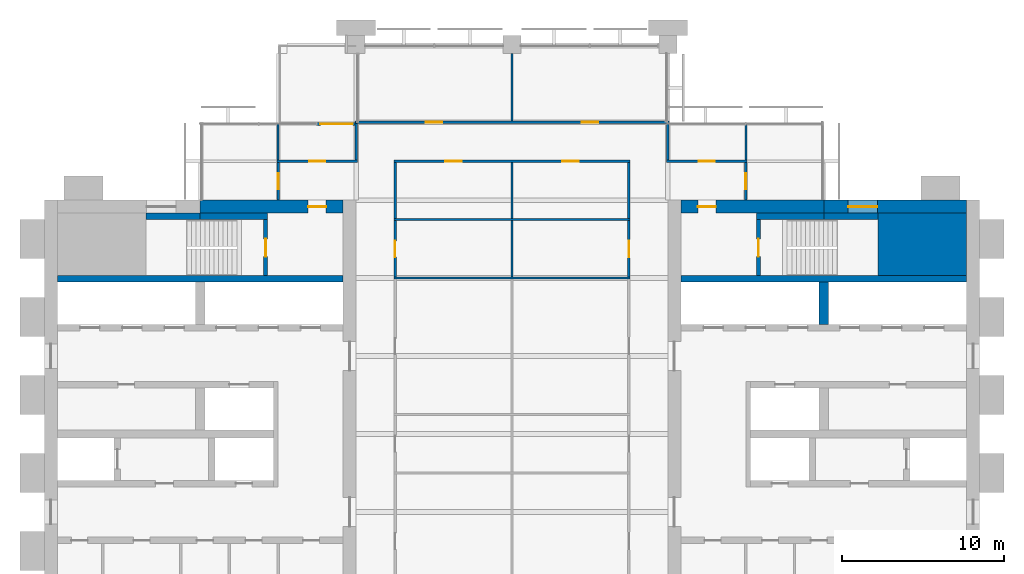
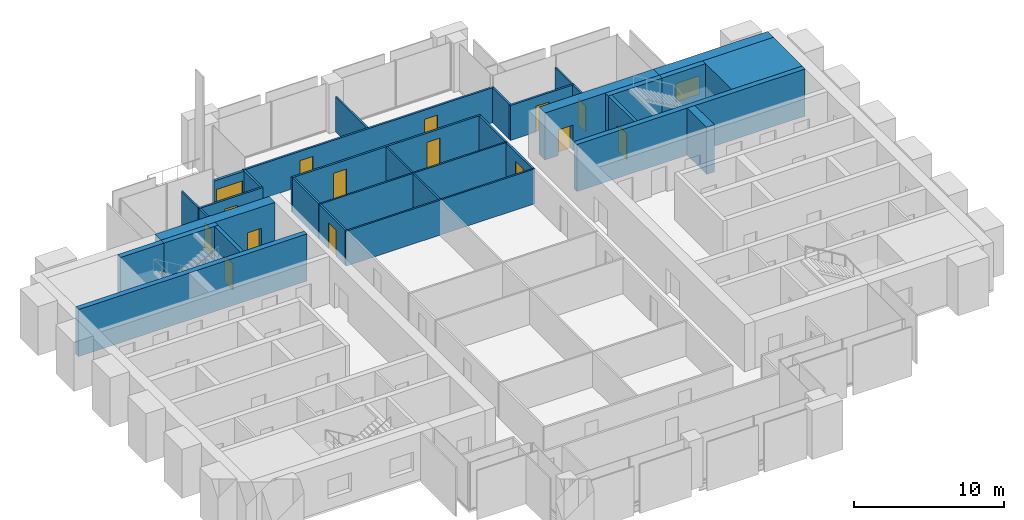
# One storey, part 11 of 13: 33 walls, 15 doors, 1 window, 16 openings.
"""IFC4 building model written with IfcOpenShell, lengths in metres."""

from ifc_helpers import new_model, si_unit, direction, frame, frame_2d, origin, place, context, subcontext, project, spatial, rectangle, extrude, material, layer, layer_set, type_object, element, fill, save


model = new_model("IFC4")

# Units and contexts
model_context = context("Model", 3, precision=1e-05, world=origin(), true_north=direction((0.0, 1.0)))
body_context = subcontext(model_context, "Body", "Model", "MODEL_VIEW")
ifc_project = project(units=[si_unit("LENGTHUNIT", "METRE"), si_unit("AREAUNIT", "SQUARE_METRE"), si_unit("VOLUMEUNIT", "CUBIC_METRE"), si_unit("PLANEANGLEUNIT", "RADIAN"), si_unit("MASSUNIT", "GRAM", prefix="KILO")], contexts=[model_context])

# Site, building, storey
site_placement = place(None, origin())
site = spatial("IfcSite", under=ifc_project, at=site_placement, CompositionType="ELEMENT")
building_placement = place(site_placement, origin())
building = spatial("IfcBuilding", under=site, at=building_placement, Name="Baori Bourse Tower", CompositionType="ELEMENT")
storey_placement = place(building_placement, frame((0.0, 0.0, 229.199951171875)))
storey = spatial("IfcBuildingStorey", under=building, at=storey_placement, Name="L50", CompositionType="ELEMENT", Elevation=229.199951171875)

# Wall
ifc_material_1 = material(Name="Concrete f'c 50 MPa", Category="concrete")
wall_type_1 = type_object("IfcWallType", Name="Core corner block f'c 50", PredefinedType="SHEAR", material=ifc_material_1)
wall_1_placement = place(storey_placement, frame((51.35009765625, 35.675048828125, 0.0), z_axis=(0.0, 0.0, 1.0), x_axis=(1.0, 0.0, 0.0)))
element("IfcWall", 1, at=wall_1_placement, inside=storey, type_object=wall_type_1, Name="Core wall E25", PredefinedType="SHEAR", context=body_context, shape_type="SweptSolid", body=[
    extrude(rectangle(XDim=5.449951171875, YDim=3.85009765625, at=frame_2d((2.72509765625, 0.0))), origin(), (0.0, 0.0, 1.0), 3.840087890625),
])

# Wall, opening, door
ifc_material_2 = material(Name="Concrete f'c 50 MPa", Category="concrete")
ifc_layer_1 = layer(ifc_material_2, 0.800048828125)
ifc_layer_set_1 = layer_set([ifc_layer_1], Name="Core wall 800 f'c 50")
wall_type_2 = type_object("IfcWallType", Name="Core wall 800 f'c 50", PredefinedType="SHEAR", material=ifc_layer_set_1)
wall_2_placement = place(storey_placement, frame((9.60009765625, 38.0, 0.0), z_axis=(0.0, 0.0, 1.0), x_axis=(1.0, 0.0, 0.0)))
wall_2 = element("IfcWall", 2, at=wall_2_placement, inside=storey, type_object=wall_type_2, Name="Core wall W29", PredefinedType="SHEAR", context=body_context, shape_type="SweptSolid", body=[
    extrude(rectangle(XDim=8.7998046875, YDim=0.800048828125, at=frame_2d((4.39990234375, 0.0))), origin(), (0.0, 0.0, 1.0), 3.840087890625),
])
opening_1_placement = place(wall_2_placement, frame((6.64990234375, 0.0, 0.0)))
opening_1 = element("IfcOpeningElement", 3, at=opening_1_placement, cuts=wall_2, Name="Opening L50-D104", PredefinedType="OPENING", context=body_context, shape_type="SweptSolid", body=[
    extrude(rectangle(XDim=1.10009765625, YDim=2.10009765625, at=frame_2d((0.550048828125, 1.050048828125))), frame((0.0, 0.409912109375, 0.0), z_axis=(0.0, -1.0, 0.0), x_axis=(1.0, 0.0, 0.0)), (0.0, 0.0, 1.0), 0.820068359375),
])
ifc_material_3 = material(Name="Painted steel door", Category="steel")
door_type_1 = type_object("IfcDoorType", Name="Stair door 1100", OperationType="SINGLE_SWING_LEFT", PredefinedType="DOOR", material=ifc_material_3)
door_1_placement = place(opening_1_placement, origin())
door_1 = element("IfcDoor", 4, at=door_1_placement, inside=storey, type_object=door_type_1, Name="Stair vestibule door B W L50", OperationType="SINGLE_SWING_LEFT", OverallHeight=2.10009765625, OverallWidth=1.10009765625, PredefinedType="DOOR", context=body_context, shape_type="SweptSolid", body=[
    extrude(rectangle(XDim=1.10009765625, YDim=2.10009765625, at=frame_2d((0.550048828125, 1.050048828125))), frame((0.0, 0.02490234375, 0.0), z_axis=(0.0, -1.0, 0.0), x_axis=(1.0, 0.0, 0.0)), (0.0, 0.0, 1.0), 0.050048828125),
])
fill(opening_1, door_1)

# Wall, opening, window
wall_3_placement = place(storey_placement, frame((48.0, 38.0, 0.0), z_axis=(0.0, 0.0, 1.0), x_axis=(1.0, 0.0, 0.0)))
wall_3 = element("IfcWall", 5, at=wall_3_placement, inside=storey, type_object=wall_type_2, Name="Core wall E29", PredefinedType="SHEAR", context=body_context, shape_type="SweptSolid", body=[
    extrude(rectangle(XDim=8.800048828125, YDim=0.800048828125, at=frame_2d((4.39990234375, 0.0))), origin(), (0.0, 0.0, 1.0), 3.840087890625),
])
opening_2_placement = place(wall_3_placement, frame((1.5, 0.0, 0.89990234375)))
opening_2 = element("IfcOpeningElement", 6, at=opening_2_placement, cuts=wall_3, Name="Opening L50-KW204", PredefinedType="OPENING", context=body_context, shape_type="SweptSolid", body=[
    extrude(rectangle(XDim=1.800048828125, YDim=1.5, at=frame_2d((0.89990234375, 0.75))), frame((0.0, 0.409912109375, 0.0), z_axis=(0.0, -1.0, 0.0), x_axis=(1.0, 0.0, 0.0)), (0.0, 0.0, 1.0), 0.820068359375),
])
ifc_material_4 = material(Name="Pale anodised aluminium", Category="aluminium")
window_type = type_object("IfcWindowType", Name="Stair window 1800 x 1500", PartitioningType="SINGLE_PANEL", PredefinedType="WINDOW", material=ifc_material_4)
window_placement = place(opening_2_placement, origin())
window = element("IfcWindow", 7, at=window_placement, inside=storey, type_object=window_type, Name="Stair window E L50 4", OverallHeight=1.5, OverallWidth=1.800048828125, PartitioningType="SINGLE_PANEL", PredefinedType="WINDOW", context=body_context, shape_type="SweptSolid", body=[
    extrude(rectangle(XDim=1.800048828125, YDim=1.5, at=frame_2d((0.89990234375, 0.75))), frame((0.0, 0.030029296875, 0.0), z_axis=(0.0, -1.0, 0.0), x_axis=(1.0, 0.0, 0.0)), (0.0, 0.0, 1.0), 0.06005859375),
])
fill(opening_2, window)

# Wall, opening, door
wall_4_placement = place(storey_placement, frame((39.199951171875, 38.0, 0.0), z_axis=(0.0, 0.0, 1.0), x_axis=(1.0, 0.0, 0.0)))
wall_4 = element("IfcWall", 8, at=wall_4_placement, inside=storey, type_object=wall_type_2, Name="Core wall E30", PredefinedType="SHEAR", context=body_context, shape_type="SweptSolid", body=[
    extrude(rectangle(XDim=8.800048828125, YDim=0.800048828125, at=frame_2d((4.39990234375, 0.0))), origin(), (0.0, 0.0, 1.0), 3.840087890625),
])
opening_3_placement = place(wall_4_placement, frame((1.050048828125, 0.0, 0.0)))
opening_3 = element("IfcOpeningElement", 9, at=opening_3_placement, cuts=wall_4, Name="Opening L50-D204", PredefinedType="OPENING", context=body_context, shape_type="SweptSolid", body=[
    extrude(rectangle(XDim=1.10009765625, YDim=2.10009765625, at=frame_2d((0.550048828125, 1.050048828125))), frame((0.0, 0.409912109375, 0.0), z_axis=(0.0, -1.0, 0.0), x_axis=(1.0, 0.0, 0.0)), (0.0, 0.0, 1.0), 0.820068359375),
])
door_2_placement = place(opening_3_placement, origin())
door_2 = element("IfcDoor", 10, at=door_2_placement, inside=storey, type_object=door_type_1, Name="Stair vestibule door B E L50", OperationType="SINGLE_SWING_LEFT", OverallHeight=2.10009765625, OverallWidth=1.10009765625, PredefinedType="DOOR", context=body_context, shape_type="SweptSolid", body=[
    extrude(rectangle(XDim=1.10009765625, YDim=2.10009765625, at=frame_2d((0.550048828125, 1.050048828125))), frame((0.0, 0.02490234375, 0.0), z_axis=(0.0, -1.0, 0.0), x_axis=(1.0, 0.0, 0.0)), (0.0, 0.0, 1.0), 0.050048828125),
])
fill(opening_3, door_2)

ifc_material_5 = material(Name="Gypsum board partition")
ifc_layer_2 = layer(ifc_material_5, 0.14990234375)
ifc_layer_set_2 = layer_set([ifc_layer_2], Name="Corridor partition 150")
wall_type_3 = type_object("IfcWallType", Name="Corridor partition 150", PredefinedType="PARTITIONING", material=ifc_layer_set_2)
wall_5_placement = place(storey_placement, frame((14.324951171875, 40.800048828125, 0.0), z_axis=(0.0, 0.0, 1.0), x_axis=(1.0, 0.0, 0.0)))
wall_5 = element("IfcWall", 11, at=wall_5_placement, inside=storey, type_object=wall_type_3, Name="Partition", PredefinedType="PARTITIONING", context=body_context, shape_type="SweptSolid", body=[
    extrude(rectangle(XDim=4.949951171875, YDim=0.14990234375, at=frame_2d((2.47509765625, 0.0))), origin(), (0.0, 0.0, 1.0), 2.849365234375),
])
opening_4_placement = place(wall_5_placement, frame((1.97509765625, 0.0, 0.0)))
opening_4 = element("IfcOpeningElement", 12, at=opening_4_placement, cuts=wall_5, Name="Opening L50-D07", PredefinedType="OPENING", context=body_context, shape_type="SweptSolid", body=[
    extrude(rectangle(XDim=1.0, YDim=2.10009765625, at=frame_2d((0.5, 1.050048828125))), frame((0.0, 0.0849609375, 0.0), z_axis=(0.0, -1.0, 0.0), x_axis=(1.0, 0.0, 0.0)), (0.0, 0.0, 1.0), 0.169921875),
])
ifc_material_6 = material(Name="Timber door leaf", Category="wood")
door_type_2 = type_object("IfcDoorType", Name="Door 1000 x 2100", OperationType="SINGLE_SWING_LEFT", PredefinedType="DOOR", material=ifc_material_6)
door_3_placement = place(opening_4_placement, origin())
door_3 = element("IfcDoor", 13, at=door_3_placement, inside=storey, type_object=door_type_2, Name="Door", OperationType="SINGLE_SWING_LEFT", OverallHeight=2.10009765625, OverallWidth=1.0, PredefinedType="DOOR", context=body_context, shape_type="SweptSolid", body=[
    extrude(rectangle(XDim=1.0, YDim=2.10009765625, at=frame_2d((0.5, 1.050048828125))), frame((0.0, 0.02490234375, 0.0), z_axis=(0.0, -1.0, 0.0), x_axis=(1.0, 0.0, 0.0)), (0.0, 0.0, 1.0), 0.050048828125),
])
fill(opening_4, door_3)

# Wall, openings, doors
wall_6_placement = place(storey_placement, frame((21.52490234375, 40.800048828125, 0.0), z_axis=(0.0, 0.0, 1.0), x_axis=(1.0, 0.0, 0.0)))
wall_6 = element("IfcWall", 14, at=wall_6_placement, inside=storey, type_object=wall_type_3, Name="Partition", PredefinedType="PARTITIONING", context=body_context, shape_type="SweptSolid", body=[
    extrude(rectangle(XDim=14.550048828125, YDim=0.14990234375, at=frame_2d((7.27490234375, 0.0))), origin(), (0.0, 0.0, 1.0), 2.849365234375),
])
opening_5_placement = place(wall_6_placement, frame((3.175048828125, 0.0, 0.0)))
opening_5 = element("IfcOpeningElement", 15, at=opening_5_placement, cuts=wall_6, Name="Opening L50-D08", PredefinedType="OPENING", context=body_context, shape_type="SweptSolid", body=[
    extrude(rectangle(XDim=1.0, YDim=2.10009765625, at=frame_2d((0.5, 1.050048828125))), frame((0.0, 0.0849609375, 0.0), z_axis=(0.0, -1.0, 0.0), x_axis=(1.0, 0.0, 0.0)), (0.0, 0.0, 1.0), 0.169921875),
])
opening_6_placement = place(wall_6_placement, frame((10.375, 0.0, 0.0)))
opening_6 = element("IfcOpeningElement", 16, at=opening_6_placement, cuts=wall_6, Name="Opening L50-D09", PredefinedType="OPENING", context=body_context, shape_type="SweptSolid", body=[
    extrude(rectangle(XDim=1.0, YDim=2.10009765625, at=frame_2d((0.5, 1.050048828125))), frame((0.0, 0.0849609375, 0.0), z_axis=(0.0, -1.0, 0.0), x_axis=(1.0, 0.0, 0.0)), (0.0, 0.0, 1.0), 0.169921875),
])
door_4_placement = place(opening_5_placement, origin())
door_4 = element("IfcDoor", 17, at=door_4_placement, inside=storey, type_object=door_type_2, Name="Door", OperationType="SINGLE_SWING_LEFT", OverallHeight=2.10009765625, OverallWidth=1.0, PredefinedType="DOOR", context=body_context, shape_type="SweptSolid", body=[
    extrude(rectangle(XDim=1.0, YDim=2.10009765625, at=frame_2d((0.5, 1.050048828125))), frame((0.0, 0.02490234375, 0.0), z_axis=(0.0, -1.0, 0.0), x_axis=(1.0, 0.0, 0.0)), (0.0, 0.0, 1.0), 0.050048828125),
])
fill(opening_5, door_4)
door_5_placement = place(opening_6_placement, origin())
door_5 = element("IfcDoor", 18, at=door_5_placement, inside=storey, type_object=door_type_2, Name="Door", OperationType="SINGLE_SWING_RIGHT", OverallHeight=2.10009765625, OverallWidth=1.0, PredefinedType="DOOR", context=body_context, shape_type="SweptSolid", body=[
    extrude(rectangle(XDim=1.0, YDim=2.10009765625, at=frame_2d((0.5, 1.050048828125))), frame((0.0, 0.02490234375, 0.0), z_axis=(0.0, -1.0, 0.0), x_axis=(1.0, 0.0, 0.0)), (0.0, 0.0, 1.0), 0.050048828125),
])
fill(opening_6, door_5)

# Wall, opening, door
wall_7_placement = place(storey_placement, frame((38.324951171875, 40.800048828125, 0.0), z_axis=(0.0, 0.0, 1.0), x_axis=(1.0, 0.0, 0.0)))
wall_7 = element("IfcWall", 19, at=wall_7_placement, inside=storey, type_object=wall_type_3, Name="Partition", PredefinedType="PARTITIONING", context=body_context, shape_type="SweptSolid", body=[
    extrude(rectangle(XDim=4.949951171875, YDim=0.14990234375, at=frame_2d((2.47509765625, 0.0))), origin(), (0.0, 0.0, 1.0), 2.849365234375),
])
opening_7_placement = place(wall_7_placement, frame((1.97509765625, 0.0, 0.0)))
opening_7 = element("IfcOpeningElement", 20, at=opening_7_placement, cuts=wall_7, Name="Opening L50-D10", PredefinedType="OPENING", context=body_context, shape_type="SweptSolid", body=[
    extrude(rectangle(XDim=1.0, YDim=2.10009765625, at=frame_2d((0.5, 1.050048828125))), frame((0.0, 0.0849609375, 0.0), z_axis=(0.0, -1.0, 0.0), x_axis=(1.0, 0.0, 0.0)), (0.0, 0.0, 1.0), 0.169921875),
])
door_6_placement = place(opening_7_placement, origin())
door_6 = element("IfcDoor", 21, at=door_6_placement, inside=storey, type_object=door_type_2, Name="Door", OperationType="SINGLE_SWING_RIGHT", OverallHeight=2.10009765625, OverallWidth=1.0, PredefinedType="DOOR", context=body_context, shape_type="SweptSolid", body=[
    extrude(rectangle(XDim=1.0, YDim=2.10009765625, at=frame_2d((0.5, 1.050048828125))), frame((0.0, 0.02490234375, 0.0), z_axis=(0.0, -1.0, 0.0), x_axis=(1.0, 0.0, 0.0)), (0.0, 0.0, 1.0), 0.050048828125),
])
fill(opening_7, door_6)

# Wall, openings, doors
wall_8_placement = place(storey_placement, frame((19.125, 43.199951171875, 0.0), z_axis=(0.0, 0.0, 1.0), x_axis=(1.0, 0.0, 0.0)))
wall_8 = element("IfcWall", 22, at=wall_8_placement, inside=storey, type_object=wall_type_3, Name="Partition", PredefinedType="PARTITIONING", context=body_context, shape_type="SweptSolid", body=[
    extrude(rectangle(XDim=19.35009765625, YDim=0.14990234375, at=frame_2d((9.675048828125, 0.0))), origin(), (0.0, 0.0, 1.0), 2.849365234375),
])
opening_8_placement = place(wall_8_placement, frame((4.375, 0.0, 0.0)))
opening_8 = element("IfcOpeningElement", 23, at=opening_8_placement, cuts=wall_8, Name="Opening L50-D11", PredefinedType="OPENING", context=body_context, shape_type="SweptSolid", body=[
    extrude(rectangle(XDim=1.0, YDim=2.10009765625, at=frame_2d((0.5, 1.050048828125))), frame((0.0, 0.0849609375, 0.0), z_axis=(0.0, -1.0, 0.0), x_axis=(1.0, 0.0, 0.0)), (0.0, 0.0, 1.0), 0.169921875),
])
opening_9_placement = place(wall_8_placement, frame((13.97509765625, 0.0, 0.0)))
opening_9 = element("IfcOpeningElement", 24, at=opening_9_placement, cuts=wall_8, Name="Opening L50-D12", PredefinedType="OPENING", context=body_context, shape_type="SweptSolid", body=[
    extrude(rectangle(XDim=1.0, YDim=2.10009765625, at=frame_2d((0.5, 1.050048828125))), frame((0.0, 0.0849609375, 0.0), z_axis=(0.0, -1.0, 0.0), x_axis=(1.0, 0.0, 0.0)), (0.0, 0.0, 1.0), 0.169921875),
])
door_7_placement = place(opening_8_placement, origin())
door_7 = element("IfcDoor", 25, at=door_7_placement, inside=storey, type_object=door_type_2, Name="Door", OperationType="SINGLE_SWING_RIGHT", OverallHeight=2.10009765625, OverallWidth=1.0, PredefinedType="DOOR", context=body_context, shape_type="SweptSolid", body=[
    extrude(rectangle(XDim=1.0, YDim=2.10009765625, at=frame_2d((0.5, 1.050048828125))), frame((0.0, 0.02490234375, 0.0), z_axis=(0.0, -1.0, 0.0), x_axis=(1.0, 0.0, 0.0)), (0.0, 0.0, 1.0), 0.050048828125),
])
fill(opening_8, door_7)
door_8_placement = place(opening_9_placement, origin())
door_8 = element("IfcDoor", 26, at=door_8_placement, inside=storey, type_object=door_type_2, Name="Door", OperationType="SINGLE_SWING_LEFT", OverallHeight=2.10009765625, OverallWidth=1.0, PredefinedType="DOOR", context=body_context, shape_type="SweptSolid", body=[
    extrude(rectangle(XDim=1.0, YDim=2.10009765625, at=frame_2d((0.5, 1.050048828125))), frame((0.0, 0.02490234375, 0.0), z_axis=(0.0, -1.0, 0.0), x_axis=(1.0, 0.0, 0.0)), (0.0, 0.0, 1.0), 0.050048828125),
])
fill(opening_9, door_8)

# Wall, opening, door
wall_9_placement = place(storey_placement, frame((14.39990234375, 38.39990234375, 0.0), z_axis=(0.0, 0.0, 1.0), x_axis=(0.0, 1.0, 0.0)))
wall_9 = element("IfcWall", 27, at=wall_9_placement, inside=storey, type_object=wall_type_3, Name="Partition", PredefinedType="PARTITIONING", context=body_context, shape_type="SweptSolid", body=[
    extrude(rectangle(XDim=2.3251953125, YDim=0.14990234375, at=frame_2d((1.16259765625, 0.0))), origin(), (0.0, 0.0, 1.0), 2.849365234375),
])
opening_10_placement = place(wall_9_placement, frame((0.66259765625, 0.0, 0.0)))
opening_10 = element("IfcOpeningElement", 28, at=opening_10_placement, cuts=wall_9, Name="Opening L50-D13", PredefinedType="OPENING", context=body_context, shape_type="SweptSolid", body=[
    extrude(rectangle(XDim=1.0, YDim=2.10009765625, at=frame_2d((0.5, 1.050048828125))), frame((0.0, 0.0849609375, 0.0), z_axis=(0.0, -1.0, 0.0), x_axis=(1.0, 0.0, 0.0)), (0.0, 0.0, 1.0), 0.169921875),
])
door_9_placement = place(opening_10_placement, origin())
door_9 = element("IfcDoor", 29, at=door_9_placement, inside=storey, type_object=door_type_2, Name="Door", OperationType="SINGLE_SWING_RIGHT", OverallHeight=2.10009765625, OverallWidth=1.0, PredefinedType="DOOR", context=body_context, shape_type="SweptSolid", body=[
    extrude(rectangle(XDim=1.0, YDim=2.10009765625, at=frame_2d((0.5, 1.050048828125))), frame((0.0, 0.02490234375, 0.0), z_axis=(0.0, -1.0, 0.0), x_axis=(1.0, 0.0, 0.0)), (0.0, 0.0, 1.0), 0.050048828125),
])
fill(opening_10, door_9)

# Wall
wall_10_placement = place(storey_placement, frame((19.199951171875, 40.875, 0.0), z_axis=(0.0, 0.0, 1.0), x_axis=(0.0, 1.0, 0.0)))
element("IfcWall", 30, at=wall_10_placement, inside=storey, type_object=wall_type_3, Name="Partition", PredefinedType="PARTITIONING", context=body_context, shape_type="SweptSolid", body=[
    extrude(rectangle(XDim=2.25, YDim=0.14990234375, at=frame_2d((1.125, 0.0))), origin(), (0.0, 0.0, 1.0), 2.849365234375),
])

# Wall, opening, door
wall_11_placement = place(storey_placement, frame((21.60009765625, 33.66259765625, 0.0), z_axis=(0.0, 0.0, 1.0), x_axis=(0.0, 1.0, 0.0)))
wall_11 = element("IfcWall", 31, at=wall_11_placement, inside=storey, type_object=wall_type_3, Name="Partition", PredefinedType="PARTITIONING", context=body_context, shape_type="SweptSolid", body=[
    extrude(rectangle(XDim=3.474853515625, YDim=0.14990234375, at=frame_2d((1.7373046875, 0.0))), origin(), (0.0, 0.0, 1.0), 2.849365234375),
])
opening_11_placement = place(wall_11_placement, frame((1.237548828125, 0.0, 0.0)))
opening_11 = element("IfcOpeningElement", 32, at=opening_11_placement, cuts=wall_11, Name="Opening L50-D17", PredefinedType="OPENING", context=body_context, shape_type="SweptSolid", body=[
    extrude(rectangle(XDim=1.0, YDim=2.10009765625, at=frame_2d((0.5, 1.050048828125))), frame((0.0, 0.0849609375, 0.0), z_axis=(0.0, -1.0, 0.0), x_axis=(1.0, 0.0, 0.0)), (0.0, 0.0, 1.0), 0.169921875),
])
door_10_placement = place(opening_11_placement, origin())
door_10 = element("IfcDoor", 33, at=door_10_placement, inside=storey, type_object=door_type_2, Name="Door", OperationType="SINGLE_SWING_LEFT", OverallHeight=2.10009765625, OverallWidth=1.0, PredefinedType="DOOR", context=body_context, shape_type="SweptSolid", body=[
    extrude(rectangle(XDim=1.0, YDim=2.10009765625, at=frame_2d((0.5, 1.050048828125))), frame((0.0, 0.02490234375, 0.0), z_axis=(0.0, -1.0, 0.0), x_axis=(1.0, 0.0, 0.0)), (0.0, 0.0, 1.0), 0.050048828125),
])
fill(opening_11, door_10)

# Wall
wall_12_placement = place(storey_placement, frame((21.60009765625, 37.262451171875, 0.0), z_axis=(0.0, 0.0, 1.0), x_axis=(0.0, 1.0, 0.0)))
element("IfcWall", 34, at=wall_12_placement, inside=storey, type_object=wall_type_3, Name="Partition", PredefinedType="PARTITIONING", context=body_context, shape_type="SweptSolid", body=[
    extrude(rectangle(XDim=3.462646484375, YDim=0.14990234375, at=frame_2d((1.7314453125, 0.0))), origin(), (0.0, 0.0, 1.0), 2.849365234375),
])

# Wall, opening, door
wall_13_placement = place(storey_placement, frame((36.0, 33.66259765625, 0.0), z_axis=(0.0, 0.0, 1.0), x_axis=(0.0, 1.0, 0.0)))
wall_13 = element("IfcWall", 35, at=wall_13_placement, inside=storey, type_object=wall_type_3, Name="Partition", PredefinedType="PARTITIONING", context=body_context, shape_type="SweptSolid", body=[
    extrude(rectangle(XDim=3.474853515625, YDim=0.14990234375, at=frame_2d((1.7373046875, 0.0))), origin(), (0.0, 0.0, 1.0), 2.849365234375),
])
opening_12_placement = place(wall_13_placement, frame((1.237548828125, 0.0, 0.0)))
opening_12 = element("IfcOpeningElement", 36, at=opening_12_placement, cuts=wall_13, Name="Opening L50-D21", PredefinedType="OPENING", context=body_context, shape_type="SweptSolid", body=[
    extrude(rectangle(XDim=1.0, YDim=2.10009765625, at=frame_2d((0.5, 1.050048828125))), frame((0.0, 0.0849609375, 0.0), z_axis=(0.0, -1.0, 0.0), x_axis=(1.0, 0.0, 0.0)), (0.0, 0.0, 1.0), 0.169921875),
])
door_11_placement = place(opening_12_placement, origin())
door_11 = element("IfcDoor", 37, at=door_11_placement, inside=storey, type_object=door_type_2, Name="Door", OperationType="SINGLE_SWING_RIGHT", OverallHeight=2.10009765625, OverallWidth=1.0, PredefinedType="DOOR", context=body_context, shape_type="SweptSolid", body=[
    extrude(rectangle(XDim=1.0, YDim=2.10009765625, at=frame_2d((0.5, 1.050048828125))), frame((0.0, 0.02490234375, 0.0), z_axis=(0.0, -1.0, 0.0), x_axis=(1.0, 0.0, 0.0)), (0.0, 0.0, 1.0), 0.050048828125),
])
fill(opening_12, door_11)

# Walls
wall_14_placement = place(storey_placement, frame((36.0, 37.262451171875, 0.0), z_axis=(0.0, 0.0, 1.0), x_axis=(0.0, 1.0, 0.0)))
element("IfcWall", 38, at=wall_14_placement, inside=storey, type_object=wall_type_3, Name="Partition", PredefinedType="PARTITIONING", context=body_context, shape_type="SweptSolid", body=[
    extrude(rectangle(XDim=3.462646484375, YDim=0.14990234375, at=frame_2d((1.7314453125, 0.0))), origin(), (0.0, 0.0, 1.0), 2.849365234375),
])
wall_15_placement = place(storey_placement, frame((38.39990234375, 40.875, 0.0), z_axis=(0.0, 0.0, 1.0), x_axis=(0.0, 1.0, 0.0)))
element("IfcWall", 39, at=wall_15_placement, inside=storey, type_object=wall_type_3, Name="Partition", PredefinedType="PARTITIONING", context=body_context, shape_type="SweptSolid", body=[
    extrude(rectangle(XDim=2.25, YDim=0.14990234375, at=frame_2d((1.125, 0.0))), origin(), (0.0, 0.0, 1.0), 2.849365234375),
])

# Wall, opening, door
wall_16_placement = place(storey_placement, frame((43.199951171875, 38.39990234375, 0.0), z_axis=(0.0, 0.0, 1.0), x_axis=(0.0, 1.0, 0.0)))
wall_16 = element("IfcWall", 40, at=wall_16_placement, inside=storey, type_object=wall_type_3, Name="Partition", PredefinedType="PARTITIONING", context=body_context, shape_type="SweptSolid", body=[
    extrude(rectangle(XDim=2.3251953125, YDim=0.14990234375, at=frame_2d((1.16259765625, 0.0))), origin(), (0.0, 0.0, 1.0), 2.849365234375),
])
opening_13_placement = place(wall_16_placement, frame((0.66259765625, 0.0, 0.0)))
opening_13 = element("IfcOpeningElement", 41, at=opening_13_placement, cuts=wall_16, Name="Opening L50-D23", PredefinedType="OPENING", context=body_context, shape_type="SweptSolid", body=[
    extrude(rectangle(XDim=1.0, YDim=2.10009765625, at=frame_2d((0.5, 1.050048828125))), frame((0.0, 0.0849609375, 0.0), z_axis=(0.0, -1.0, 0.0), x_axis=(1.0, 0.0, 0.0)), (0.0, 0.0, 1.0), 0.169921875),
])
door_12_placement = place(opening_13_placement, origin())
door_12 = element("IfcDoor", 42, at=door_12_placement, inside=storey, type_object=door_type_2, Name="Door", OperationType="SINGLE_SWING_LEFT", OverallHeight=2.10009765625, OverallWidth=1.0, PredefinedType="DOOR", context=body_context, shape_type="SweptSolid", body=[
    extrude(rectangle(XDim=1.0, YDim=2.10009765625, at=frame_2d((0.5, 1.050048828125))), frame((0.0, 0.02490234375, 0.0), z_axis=(0.0, -1.0, 0.0), x_axis=(1.0, 0.0, 0.0)), (0.0, 0.0, 1.0), 0.050048828125),
])
fill(opening_13, door_12)

ifc_material_7 = material(Name="Pale anodised aluminium", Category="aluminium")
ifc_layer_3 = layer(ifc_material_7, 0.199951171875)
ifc_layer_set_3 = layer_set([ifc_layer_3], Name="EW1 External wall bay")
wall_type_4 = type_object("IfcWallType", Name="EW1 External wall bay", PredefinedType="SOLIDWALL", material=ifc_layer_set_3)
wall_17_placement = place(storey_placement, frame((19.199951171875, 43.10009765625, 0.0), z_axis=(0.0, 0.0, 1.0), x_axis=(-1.0, 0.0, 0.0)))
wall_17 = element("IfcWall", 43, at=wall_17_placement, inside=storey, type_object=wall_type_4, Name="External wall bay L50 1", PredefinedType="SOLIDWALL", context=body_context, shape_type="SweptSolid", body=[
    extrude(rectangle(XDim=2.39990234375, YDim=0.199951171875, at=frame_2d((1.199951171875, 0.0))), origin(), (0.0, 0.0, 1.0), 2.849365234375),
])
opening_14_placement = place(wall_17_placement, frame((0.199951171875, 0.0, 0.0)))
opening_14 = element("IfcOpeningElement", 44, at=opening_14_placement, cuts=wall_17, Name="Opening L50-D91", PredefinedType="OPENING", context=body_context, shape_type="SweptSolid", body=[
    extrude(rectangle(XDim=2.0, YDim=2.10009765625, at=frame_2d((1.0, 1.050048828125))), frame((0.0, 0.10986328125, 0.0), z_axis=(0.0, -1.0, 0.0), x_axis=(1.0, 0.0, 0.0)), (0.0, 0.0, 1.0), 0.219970703125),
])
ifc_material_8 = material(Name="Pale anodised aluminium", Category="aluminium")
door_type_3 = type_object("IfcDoorType", Name="TR1 Terrace door", OperationType="DOUBLE_DOOR_SINGLE_SWING", PredefinedType="DOOR", material=ifc_material_8)
door_13_placement = place(opening_14_placement, origin())
door_13 = element("IfcDoor", 45, at=door_13_placement, inside=storey, type_object=door_type_3, Name="Terrace door L50 1", OperationType="SINGLE_SWING_LEFT", OverallHeight=2.10009765625, OverallWidth=2.0, PredefinedType="DOOR", context=body_context, shape_type="SweptSolid", body=[
    extrude(rectangle(XDim=2.0, YDim=2.10009765625, at=frame_2d((1.0, 1.050048828125))), frame((0.0, 0.02490234375, 0.0), z_axis=(0.0, -1.0, 0.0), x_axis=(1.0, 0.0, 0.0)), (0.0, 0.0, 1.0), 0.050048828125),
])
fill(opening_14, door_13)

# Walls
ifc_material_9 = material(Name="Gypsum board partition")
ifc_layer_4 = layer(ifc_material_9, 0.125)
ifc_layer_set_4 = layer_set([ifc_layer_4], Name="Partition 125")
wall_type_5 = type_object("IfcWallType", Name="Partition 125", PredefinedType="PARTITIONING", material=ifc_layer_set_4)
for number, where, z_axis, x_axis, name in (
    (46, (21.52490234375, 33.60009765625, 0.0), (0.0, 0.0, 1.0), (1.0, 0.0, 0.0), "Partition"),
    (47, (21.52490234375, 37.199951171875, 0.0), (0.0, 0.0, 1.0), (1.0, 0.0, 0.0), "Partition"),
):
    element("IfcWall", number, at=place(storey_placement, frame(where, z_axis=z_axis, x_axis=x_axis)), inside=storey, type_object=wall_type_5, Name=name, PredefinedType="PARTITIONING", context=body_context, shape_type="SweptSolid", body=[
        extrude(rectangle(XDim=14.550048828125, YDim=0.125, at=frame_2d((7.27490234375, 0.0))), origin(), (0.0, 0.0, 1.0), 2.849365234375),
    ])
wall_18_placement = place(storey_placement, frame((14.39990234375, 40.875, 0.0), z_axis=(0.0, 0.0, 1.0), x_axis=(0.0, 1.0, 0.0)))
element("IfcWall", 48, at=wall_18_placement, inside=storey, type_object=wall_type_5, Name="Partition", PredefinedType="PARTITIONING", context=body_context, shape_type="SweptSolid", body=[
    extrude(rectangle(XDim=2.22509765625, YDim=0.125, at=frame_2d((1.112548828125, 0.0))), origin(), (0.0, 0.0, 1.0), 2.849365234375),
])
wall_19_placement = place(storey_placement, frame((28.800048828125, 33.66259765625, 0.0), z_axis=(0.0, 0.0, 1.0), x_axis=(0.0, 1.0, 0.0)))
element("IfcWall", 49, at=wall_19_placement, inside=storey, type_object=wall_type_5, Name="Partition", PredefinedType="PARTITIONING", context=body_context, shape_type="SweptSolid", body=[
    extrude(rectangle(XDim=3.474853515625, YDim=0.125, at=frame_2d((1.7373046875, 0.0))), origin(), (0.0, 0.0, 1.0), 2.849365234375),
])
wall_20_placement = place(storey_placement, frame((28.800048828125, 37.262451171875, 0.0), z_axis=(0.0, 0.0, 1.0), x_axis=(0.0, 1.0, 0.0)))
element("IfcWall", 50, at=wall_20_placement, inside=storey, type_object=wall_type_5, Name="Partition", PredefinedType="PARTITIONING", context=body_context, shape_type="SweptSolid", body=[
    extrude(rectangle(XDim=3.462646484375, YDim=0.125, at=frame_2d((1.7314453125, 0.0))), origin(), (0.0, 0.0, 1.0), 2.849365234375),
])
wall_21_placement = place(storey_placement, frame((28.800048828125, 43.27490234375, 0.0), z_axis=(0.0, 0.0, 1.0), x_axis=(0.0, 1.0, 0.0)))
element("IfcWall", 51, at=wall_21_placement, inside=storey, type_object=wall_type_5, Name="Partition", PredefinedType="PARTITIONING", context=body_context, shape_type="SweptSolid", body=[
    extrude(rectangle(XDim=4.175048828125, YDim=0.125, at=frame_2d((2.08740234375, 0.0))), origin(), (0.0, 0.0, 1.0), 2.849365234375),
])
wall_22_placement = place(storey_placement, frame((43.199951171875, 40.875, 0.0), z_axis=(0.0, 0.0, 1.0), x_axis=(0.0, 1.0, 0.0)))
element("IfcWall", 52, at=wall_22_placement, inside=storey, type_object=wall_type_5, Name="Partition", PredefinedType="PARTITIONING", context=body_context, shape_type="SweptSolid", body=[
    extrude(rectangle(XDim=2.22509765625, YDim=0.125, at=frame_2d((1.112548828125, 0.0))), origin(), (0.0, 0.0, 1.0), 2.849365234375),
])

# Wall, opening, door
ifc_material_10 = material(Name="Concrete f'c 50 MPa", Category="concrete")
ifc_layer_5 = layer(ifc_material_10, 0.25)
ifc_layer_set_5 = layer_set([ifc_layer_5], Name="Shaft wall 250 f'c 50")
wall_type_6 = type_object("IfcWallType", Name="Shaft wall 250 f'c 50", PredefinedType="SHEAR", material=ifc_layer_set_5)
wall_23_placement = place(storey_placement, frame((13.625, 33.75, 0.0), z_axis=(0.0, 0.0, 1.0), x_axis=(0.0, 1.0, 0.0)))
wall_23 = element("IfcWall", 53, at=wall_23_placement, inside=storey, type_object=wall_type_6, Name="Core wall W25", PredefinedType="SHEAR", context=body_context, shape_type="SweptSolid", body=[
    extrude(rectangle(XDim=3.449951171875, YDim=0.25, at=frame_2d((1.72509765625, 0.0))), origin(), (0.0, 0.0, 1.0), 3.840087890625),
])
opening_15_placement = place(wall_23_placement, frame((1.175048828125, 0.0, 0.0)))
opening_15 = element("IfcOpeningElement", 54, at=opening_15_placement, cuts=wall_23, Name="Opening L50-D103", PredefinedType="OPENING", context=body_context, shape_type="SweptSolid", body=[
    extrude(rectangle(XDim=1.10009765625, YDim=2.10009765625, at=frame_2d((0.550048828125, 1.050048828125))), frame((0.0, 0.135009765625, 0.0), z_axis=(0.0, -1.0, 0.0), x_axis=(1.0, 0.0, 0.0)), (0.0, 0.0, 1.0), 0.27001953125),
])
door_14_placement = place(opening_15_placement, origin())
door_14 = element("IfcDoor", 55, at=door_14_placement, inside=storey, type_object=door_type_1, Name="Stair door B W L50", OperationType="SINGLE_SWING_LEFT", OverallHeight=2.10009765625, OverallWidth=1.10009765625, PredefinedType="DOOR", context=body_context, shape_type="SweptSolid", body=[
    extrude(rectangle(XDim=1.10009765625, YDim=2.10009765625, at=frame_2d((0.550048828125, 1.050048828125))), frame((0.0, 0.02490234375, 0.0), z_axis=(0.0, -1.0, 0.0), x_axis=(1.0, 0.0, 0.0)), (0.0, 0.0, 1.0), 0.050048828125),
])
fill(opening_15, door_14)

wall_24_placement = place(storey_placement, frame((43.97509765625, 33.75, 0.0), z_axis=(0.0, 0.0, 1.0), x_axis=(0.0, 1.0, 0.0)))
wall_24 = element("IfcWall", 56, at=wall_24_placement, inside=storey, type_object=wall_type_6, Name="Core wall E26", PredefinedType="SHEAR", context=body_context, shape_type="SweptSolid", body=[
    extrude(rectangle(XDim=3.449951171875, YDim=0.25, at=frame_2d((1.72509765625, 0.0))), origin(), (0.0, 0.0, 1.0), 3.840087890625),
])
opening_16_placement = place(wall_24_placement, frame((1.175048828125, 0.0, 0.0)))
opening_16 = element("IfcOpeningElement", 57, at=opening_16_placement, cuts=wall_24, Name="Opening L50-D203", PredefinedType="OPENING", context=body_context, shape_type="SweptSolid", body=[
    extrude(rectangle(XDim=1.10009765625, YDim=2.10009765625, at=frame_2d((0.550048828125, 1.050048828125))), frame((0.0, 0.135009765625, 0.0), z_axis=(0.0, -1.0, 0.0), x_axis=(1.0, 0.0, 0.0)), (0.0, 0.0, 1.0), 0.27001953125),
])
door_15_placement = place(opening_16_placement, origin())
door_15 = element("IfcDoor", 58, at=door_15_placement, inside=storey, type_object=door_type_1, Name="Stair door B E L50", OperationType="SINGLE_SWING_LEFT", OverallHeight=2.10009765625, OverallWidth=1.10009765625, PredefinedType="DOOR", context=body_context, shape_type="SweptSolid", body=[
    extrude(rectangle(XDim=1.10009765625, YDim=2.10009765625, at=frame_2d((0.550048828125, 1.050048828125))), frame((0.0, 0.02490234375, 0.0), z_axis=(0.0, -1.0, 0.0), x_axis=(1.0, 0.0, 0.0)), (0.0, 0.0, 1.0), 0.050048828125),
])
fill(opening_16, door_15)

# Walls
ifc_material_11 = material(Name="Concrete f'c 50 MPa", Category="concrete")
ifc_layer_6 = layer(ifc_material_11, 0.39990234375)
ifc_layer_set_6 = layer_set([ifc_layer_6], Name="Shaft wall 400 f'c 50")
wall_type_7 = type_object("IfcWallType", Name="Shaft wall 400 f'c 50", PredefinedType="SHEAR", material=ifc_layer_set_6)
wall_25_placement = place(storey_placement, frame((0.800048828125, 33.550048828125, 0.0), z_axis=(0.0, 0.0, 1.0), x_axis=(1.0, 0.0, 0.0)))
element("IfcWall", 59, at=wall_25_placement, inside=storey, type_object=wall_type_7, Name="Core wall W23", PredefinedType="SHEAR", context=body_context, shape_type="SweptSolid", body=[
    extrude(rectangle(XDim=17.599853515625, YDim=0.39990234375, at=frame_2d((8.7998046875, 0.0))), origin(), (0.0, 0.0, 1.0), 3.840087890625),
])
wall_26_placement = place(storey_placement, frame((6.25, 37.39990234375, 0.0), z_axis=(0.0, 0.0, 1.0), x_axis=(1.0, 0.0, 0.0)))
element("IfcWall", 60, at=wall_26_placement, inside=storey, type_object=wall_type_7, Name="Core wall W26", PredefinedType="SHEAR", context=body_context, shape_type="SweptSolid", body=[
    extrude(rectangle(XDim=3.35009765625, YDim=0.39990234375, at=frame_2d((1.675048828125, 0.0))), origin(), (0.0, 0.0, 1.0), 3.840087890625),
])
wall_27_placement = place(storey_placement, frame((9.60009765625, 37.39990234375, 0.0), z_axis=(0.0, 0.0, 1.0), x_axis=(1.0, 0.0, 0.0)))
element("IfcWall", 61, at=wall_27_placement, inside=storey, type_object=wall_type_7, Name="Core wall W27", PredefinedType="SHEAR", context=body_context, shape_type="SweptSolid", body=[
    extrude(rectangle(XDim=4.14990234375, YDim=0.39990234375, at=frame_2d((2.074951171875, 0.0))), origin(), (0.0, 0.0, 1.0), 3.840087890625),
])
wall_28_placement = place(storey_placement, frame((39.199951171875, 33.550048828125, 0.0), z_axis=(0.0, 0.0, 1.0), x_axis=(1.0, 0.0, 0.0)))
element("IfcWall", 62, at=wall_28_placement, inside=storey, type_object=wall_type_7, Name="Core wall E24", PredefinedType="SHEAR", context=body_context, shape_type="SweptSolid", body=[
    extrude(rectangle(XDim=17.60009765625, YDim=0.39990234375, at=frame_2d((8.800048828125, 0.0))), origin(), (0.0, 0.0, 1.0), 3.840087890625),
])
wall_29_placement = place(storey_placement, frame((48.0, 37.39990234375, 0.0), z_axis=(0.0, 0.0, 1.0), x_axis=(1.0, 0.0, 0.0)))
element("IfcWall", 63, at=wall_29_placement, inside=storey, type_object=wall_type_7, Name="Core wall E27", PredefinedType="SHEAR", context=body_context, shape_type="SweptSolid", body=[
    extrude(rectangle(XDim=3.35009765625, YDim=0.39990234375, at=frame_2d((1.675048828125, 0.0))), origin(), (0.0, 0.0, 1.0), 3.840087890625),
])
wall_30_placement = place(storey_placement, frame((43.85009765625, 37.39990234375, 0.0), z_axis=(0.0, 0.0, 1.0), x_axis=(1.0, 0.0, 0.0)))
element("IfcWall", 64, at=wall_30_placement, inside=storey, type_object=wall_type_7, Name="Core wall E28", PredefinedType="SHEAR", context=body_context, shape_type="SweptSolid", body=[
    extrude(rectangle(XDim=4.14990234375, YDim=0.39990234375, at=frame_2d((2.074951171875, 0.0))), origin(), (0.0, 0.0, 1.0), 3.840087890625),
])
ifc_material_12 = material(Name="Concrete f'c 50 MPa", Category="concrete")
ifc_layer_7 = layer(ifc_material_12, 0.60009765625)
ifc_layer_set_7 = layer_set([ifc_layer_7], Name="Shaft wall 600 f'c 50")
wall_type_8 = type_object("IfcWallType", Name="Shaft wall 600 f'c 50", PredefinedType="SHEAR", material=ifc_layer_set_7)
wall_31_placement = place(storey_placement, frame((48.0, 30.75, 0.0), z_axis=(0.0, 0.0, 1.0), x_axis=(0.0, 1.0, 0.0)))
element("IfcWall", 65, at=wall_31_placement, inside=storey, type_object=wall_type_8, Name="Core wall E23", PredefinedType="SHEAR", context=body_context, shape_type="SweptSolid", body=[
    extrude(rectangle(XDim=2.60009765625, YDim=0.60009765625, at=frame_2d((1.300048828125, 0.0))), origin(), (0.0, 0.0, 1.0), 3.840087890625),
])

save(model, "model.ifc")
